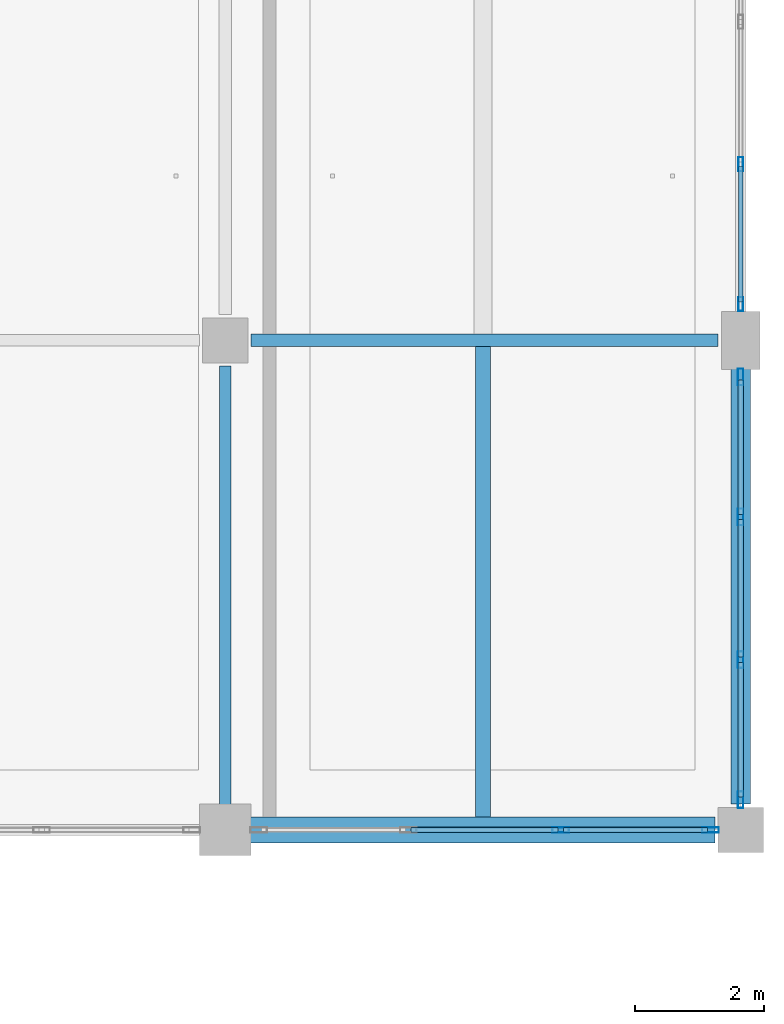
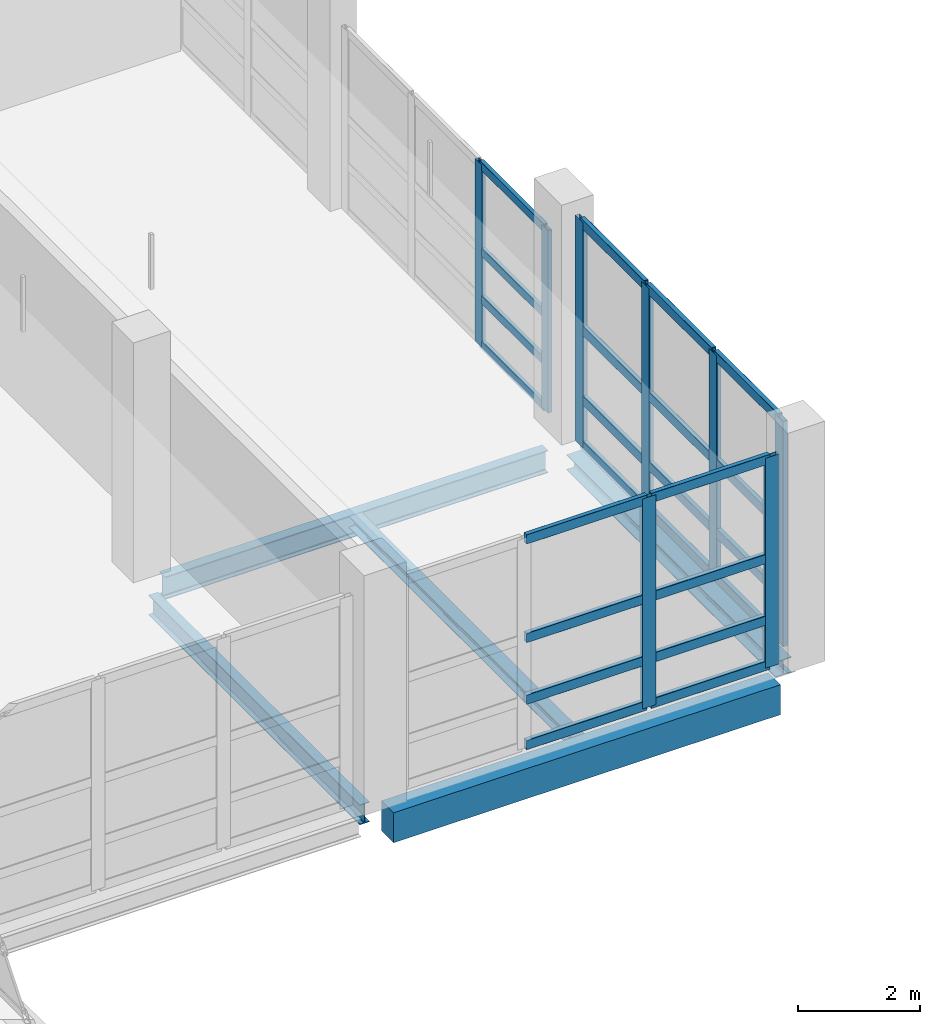
# One storey, part 61 of 147: 32 members, 5 beams, 3 elements without a shape of their own.
"""IFC4 building model written with IfcOpenShell, lengths in metres."""

from ifc_helpers import new_model, si_unit, direction, frame, origin, origin_2d, place, context, subcontext, project, spatial, rectangle, hollow_rectangle, i_section, extrude, material, material_profile, profile_set, type_object, element, aggregate, save


model = new_model("IFC4")

# Units and contexts
model_context = context("Model", 3, precision=1e-05, world=origin(), true_north=direction((0.0, 1.0)))
body_context = subcontext(model_context, "Body", "Model", "MODEL_VIEW")
ifc_project = project(units=[si_unit("LENGTHUNIT", "METRE"), si_unit("AREAUNIT", "SQUARE_METRE"), si_unit("VOLUMEUNIT", "CUBIC_METRE"), si_unit("PLANEANGLEUNIT", "RADIAN"), si_unit("MASSUNIT", "GRAM", prefix="KILO")], contexts=[model_context])

# Site, building, storey
site_placement = place(None, origin())
site = spatial("IfcSite", under=ifc_project, at=site_placement, CompositionType="ELEMENT")
building_placement = place(site_placement, origin())
building = spatial("IfcBuilding", under=site, at=building_placement, Name="Khelvaren Railside Concert Hall", CompositionType="ELEMENT")
storey_placement = place(building_placement, frame((0.0, 0.0, 5.39990234375)))
storey = spatial("IfcBuildingStorey", under=building, at=storey_placement, Name="L01", CompositionType="ELEMENT", Elevation=5.39990234375)

# Beams
ifc_material_1 = material(Name="Steel S355", Category="steel")
ifc_material_profile_1 = material_profile(ifc_material_1, i_section(OverallWidth=0.179931640625, OverallDepth=0.39990234375, WebThickness=0.008544921875, FlangeThickness=0.013427734375, FilletRadius=0.02099609375, at=origin_2d()), Name="IPE 400")
ifc_profile_set_1 = profile_set([ifc_material_profile_1], Name="Steel S355")
beam_type_1 = type_object("IfcBeamType", Name="BM29", PredefinedType="BEAM", material=ifc_profile_set_1)
beam_1_placement = place(storey_placement, frame((176.0, 83.873046875, -0.5), z_axis=(0.0, 1.0, 0.0), x_axis=(-1.0, 0.0, 0.0)))
element("IfcBeam", 1, at=beam_1_placement, inside=storey, type_object=beam_type_1, Name="V5 L01 Beam Y7.1", PredefinedType="BEAM", context=body_context, shape_type="SweptSolid", body=[
    extrude(i_section(OverallWidth=0.179931640625, OverallDepth=0.39990234375, WebThickness=0.008544921875, FlangeThickness=0.013427734375, FilletRadius=0.02099609375, at=origin_2d()), origin(), (0.0, 0.0, 1.0), 6.927001953125),
])
ifc_material_profile_2 = material_profile(ifc_material_1, i_section(OverallWidth=0.18994140625, OverallDepth=0.449951171875, WebThickness=0.009521484375, FlangeThickness=0.0146484375, FilletRadius=0.02099609375, at=origin_2d()), Name="IPE 450")
ifc_profile_set_2 = profile_set([ifc_material_profile_2], Name="Steel S355")
beam_type_2 = type_object("IfcBeamType", Name="BM95", PredefinedType="BEAM", material=ifc_profile_set_2)
beam_2_placement = place(storey_placement, frame((176.39990234375, 91.199951171875, -0.52490234375), z_axis=(1.0, 0.0, 0.0), x_axis=(0.0, 1.0, 0.0)))
element("IfcBeam", 2, at=beam_2_placement, inside=storey, type_object=beam_type_2, Name="V5 L01 Beam X2.7", PredefinedType="BEAM", context=body_context, shape_type="SweptSolid", body=[
    extrude(i_section(OverallWidth=0.18994140625, OverallDepth=0.449951171875, WebThickness=0.009521484375, FlangeThickness=0.0146484375, FilletRadius=0.02099609375, at=origin_2d()), origin(), (0.0, 0.0, 1.0), 7.25),
])

# Curtain wall, members
ifc_material_2 = material(Name="Triple-glazed solar-control glass", Category="glass")
curtain_wall_type_1 = type_object("IfcCurtainWallType", Name="CW88", PredefinedType="USERDEFINED", material=ifc_material_2)
curtain_wall_1_placement = place(storey_placement, origin())
curtain_wall_1 = element("IfcCurtainWall", 3, at=curtain_wall_1_placement, inside=storey, type_object=curtain_wall_type_1, Name="Unitised Curtain Wall CW-V5-L01-E-91", ObjectType="UNITISED CURTAIN WALL", PredefinedType="USERDEFINED")
ifc_material_3 = material(Name="Anodised architectural aluminium 6063-T6", Category="aluminium")
ifc_material_profile_3 = material_profile(ifc_material_3, hollow_rectangle(XDim=0.074951171875, YDim=0.219970703125, WallThickness=0.0048828125, InnerFilletRadius=0.0029296875, OuterFilletRadius=0.0048828125, at=origin_2d()), Name="CWM 75x220x5")
ifc_profile_set_3 = profile_set([ifc_material_profile_3], Name="Anodised architectural aluminium 6063-T6")
member_type_1 = type_object("IfcMemberType", Name="CWM13", PredefinedType="MULLION", material=ifc_profile_set_3)
member_1_placement = place(storey_placement, frame((184.0, 93.9326171875, 0.0), z_axis=(0.0, 0.0, 1.0), x_axis=(1.0, 0.0, 0.0)))
member_1 = element("IfcMember", 4, at=member_1_placement, type_object=member_type_1, Name="CW88 mullion 3", PredefinedType="MULLION", context=body_context, shape_type="SweptSolid", body=[
    extrude(hollow_rectangle(XDim=0.074951171875, YDim=0.219970703125, WallThickness=0.0048828125, InnerFilletRadius=0.0029296875, OuterFilletRadius=0.0048828125, at=origin_2d()), origin(), (0.0, 0.0, 1.0), 3.650146484375),
])
member_2_placement = place(storey_placement, frame((184.0, 91.760009765625, 0.0), z_axis=(0.0, 0.0, 1.0), x_axis=(1.0, 0.0, 0.0)))
member_2 = element("IfcMember", 5, at=member_2_placement, type_object=member_type_1, Name="CW88 mullion 4", PredefinedType="MULLION", context=body_context, shape_type="SweptSolid", body=[
    extrude(hollow_rectangle(XDim=0.074951171875, YDim=0.219970703125, WallThickness=0.0048828125, InnerFilletRadius=0.0029296875, OuterFilletRadius=0.0048828125, at=origin_2d()), origin(), (0.0, 0.0, 1.0), 3.650146484375),
])

ifc_material_4 = material(Name="Acoustic laminated crystal facade glass", Category="glass")
curtain_wall_type_2 = type_object("IfcCurtainWallType", Name="CW54", PredefinedType="USERDEFINED", material=ifc_material_4)
curtain_wall_2_placement = place(storey_placement, origin())
curtain_wall_2 = element("IfcCurtainWall", 6, at=curtain_wall_2_placement, inside=storey, type_object=curtain_wall_type_2, Name="Unitised Curtain Wall CW-V5-L01-S-176", ObjectType="UNITISED CURTAIN WALL", PredefinedType="USERDEFINED")
ifc_material_profile_4 = material_profile(ifc_material_3, hollow_rectangle(XDim=0.0849609375, YDim=0.260009765625, WallThickness=0.0048828125, InnerFilletRadius=0.0029296875, OuterFilletRadius=0.0048828125, at=origin_2d()), Name="CWM 85x260x5")
ifc_profile_set_4 = profile_set([ifc_material_profile_4], Name="Anodised architectural aluminium 6063-T6")
member_type_2 = type_object("IfcMemberType", Name="CWM40", PredefinedType="MULLION", material=ifc_profile_set_4)
member_3_placement = place(storey_placement, frame((183.530029296875, 83.60009765625, 0.0), z_axis=(0.0, 0.0, 1.0), x_axis=(0.0, -1.0, 0.0)))
member_3 = element("IfcMember", 7, at=member_3_placement, type_object=member_type_2, Name="CW54 mullion 1", PredefinedType="MULLION", context=body_context, shape_type="SweptSolid", body=[
    extrude(hollow_rectangle(XDim=0.0849609375, YDim=0.260009765625, WallThickness=0.0048828125, InnerFilletRadius=0.0029296875, OuterFilletRadius=0.0048828125, at=origin_2d()), origin(), (0.0, 0.0, 1.0), 4.2001953125),
])
member_4_placement = place(storey_placement, frame((181.20751953125, 83.60009765625, 0.0), z_axis=(0.0, 0.0, 1.0), x_axis=(0.0, -1.0, 0.0)))
member_4 = element("IfcMember", 8, at=member_4_placement, type_object=member_type_2, Name="CW54 mullion 2", PredefinedType="MULLION", context=body_context, shape_type="SweptSolid", body=[
    extrude(hollow_rectangle(XDim=0.0849609375, YDim=0.260009765625, WallThickness=0.0048828125, InnerFilletRadius=0.0029296875, OuterFilletRadius=0.0048828125, at=origin_2d()), origin(), (0.0, 0.0, 1.0), 4.2001953125),
])

curtain_wall_type_3 = type_object("IfcCurtainWallType", Name="CW66", PredefinedType="USERDEFINED", material=ifc_material_4)
curtain_wall_3_placement = place(storey_placement, origin())
curtain_wall_3 = element("IfcCurtainWall", 9, at=curtain_wall_3_placement, inside=storey, type_object=curtain_wall_type_3, Name="Unitised Curtain Wall CW-V5-L01-E-84", ObjectType="UNITISED CURTAIN WALL", PredefinedType="USERDEFINED")
member_5_placement = place(storey_placement, frame((184.0, 90.6298828125, 0.0), z_axis=(0.0, 0.0, 1.0), x_axis=(1.0, 0.0, 0.0)))
member_5 = element("IfcMember", 10, at=member_5_placement, type_object=member_type_2, Name="CW66 mullion 1", PredefinedType="MULLION", context=body_context, shape_type="SweptSolid", body=[
    extrude(hollow_rectangle(XDim=0.0849609375, YDim=0.260009765625, WallThickness=0.0048828125, InnerFilletRadius=0.0029296875, OuterFilletRadius=0.0048828125, at=origin_2d()), origin(), (0.0, 0.0, 1.0), 4.510009765625),
])
member_6_placement = place(storey_placement, frame((184.0, 88.45751953125, 0.0), z_axis=(0.0, 0.0, 1.0), x_axis=(1.0, 0.0, 0.0)))
member_6 = element("IfcMember", 11, at=member_6_placement, type_object=member_type_2, Name="CW66 mullion 2", PredefinedType="MULLION", context=body_context, shape_type="SweptSolid", body=[
    extrude(hollow_rectangle(XDim=0.0849609375, YDim=0.260009765625, WallThickness=0.0048828125, InnerFilletRadius=0.0029296875, OuterFilletRadius=0.0048828125, at=origin_2d()), origin(), (0.0, 0.0, 1.0), 4.510009765625),
])
member_7_placement = place(storey_placement, frame((184.0, 86.242431640625, 0.0), z_axis=(0.0, 0.0, 1.0), x_axis=(1.0, 0.0, 0.0)))
member_7 = element("IfcMember", 12, at=member_7_placement, type_object=member_type_2, Name="CW66 mullion 3", PredefinedType="MULLION", context=body_context, shape_type="SweptSolid", body=[
    extrude(hollow_rectangle(XDim=0.0849609375, YDim=0.260009765625, WallThickness=0.0048828125, InnerFilletRadius=0.0029296875, OuterFilletRadius=0.0048828125, at=origin_2d()), origin(), (0.0, 0.0, 1.0), 4.510009765625),
])
member_8_placement = place(storey_placement, frame((184.0, 84.070068359375, 0.0), z_axis=(0.0, 0.0, 1.0), x_axis=(1.0, 0.0, 0.0)))
member_8 = element("IfcMember", 13, at=member_8_placement, type_object=member_type_2, Name="CW66 mullion 4", PredefinedType="MULLION", context=body_context, shape_type="SweptSolid", body=[
    extrude(hollow_rectangle(XDim=0.0849609375, YDim=0.260009765625, WallThickness=0.0048828125, InnerFilletRadius=0.0029296875, OuterFilletRadius=0.0048828125, at=origin_2d()), origin(), (0.0, 0.0, 1.0), 4.510009765625),
])

# Member
ifc_material_profile_5 = material_profile(ifc_material_3, hollow_rectangle(XDim=0.0849609375, YDim=0.18994140625, WallThickness=0.0048828125, InnerFilletRadius=0.0029296875, OuterFilletRadius=0.0048828125, at=origin_2d()), Name="CWT 85x190x5")
ifc_profile_set_5 = profile_set([ifc_material_profile_5], Name="Anodised architectural aluminium 6063-T6")
member_type_3 = type_object("IfcMemberType", Name="CWT31", PredefinedType="USERDEFINED", material=ifc_profile_set_5)
member_9_placement = place(storey_placement, frame((183.487548828125, 83.60009765625, 0.04248046875), z_axis=(-1.0, 0.0, 0.0), x_axis=(0.0, -1.0, 0.0)))
member_9 = element("IfcMember", 14, at=member_9_placement, type_object=member_type_3, Name="CW54 transom 1.1", ObjectType="TRANSOM", PredefinedType="USERDEFINED", context=body_context, shape_type="SweptSolid", body=[
    extrude(hollow_rectangle(XDim=0.0849609375, YDim=0.18994140625, WallThickness=0.0048828125, InnerFilletRadius=0.0029296875, OuterFilletRadius=0.0048828125, at=origin_2d()), origin(), (0.0, 0.0, 1.0), 2.237548828125),
])

member_10_placement = place(storey_placement, frame((183.487548828125, 83.60009765625, 0.9501953125), z_axis=(-1.0, 0.0, 0.0), x_axis=(0.0, -1.0, 0.0)))
member_10 = element("IfcMember", 15, at=member_10_placement, type_object=member_type_3, Name="CW54 transom 1.2", ObjectType="TRANSOM", PredefinedType="USERDEFINED", context=body_context, shape_type="SweptSolid", body=[
    extrude(hollow_rectangle(XDim=0.0849609375, YDim=0.18994140625, WallThickness=0.0048828125, InnerFilletRadius=0.0029296875, OuterFilletRadius=0.0048828125, at=origin_2d()), origin(), (0.0, 0.0, 1.0), 2.237548828125),
])

member_11_placement = place(storey_placement, frame((183.487548828125, 83.60009765625, 2.18408203125), z_axis=(-1.0, 0.0, 0.0), x_axis=(0.0, -1.0, 0.0)))
member_11 = element("IfcMember", 16, at=member_11_placement, type_object=member_type_3, Name="CW54 transom 1.3", ObjectType="TRANSOM", PredefinedType="USERDEFINED", context=body_context, shape_type="SweptSolid", body=[
    extrude(hollow_rectangle(XDim=0.0849609375, YDim=0.18994140625, WallThickness=0.0048828125, InnerFilletRadius=0.0029296875, OuterFilletRadius=0.0048828125, at=origin_2d()), origin(), (0.0, 0.0, 1.0), 2.237548828125),
])

member_12_placement = place(storey_placement, frame((183.487548828125, 83.60009765625, 4.15771484375), z_axis=(-1.0, 0.0, 0.0), x_axis=(0.0, -1.0, 0.0)))
member_12 = element("IfcMember", 17, at=member_12_placement, type_object=member_type_3, Name="CW54 transom 1.4", ObjectType="TRANSOM", PredefinedType="USERDEFINED", context=body_context, shape_type="SweptSolid", body=[
    extrude(hollow_rectangle(XDim=0.0849609375, YDim=0.18994140625, WallThickness=0.0048828125, InnerFilletRadius=0.0029296875, OuterFilletRadius=0.0048828125, at=origin_2d()), origin(), (0.0, 0.0, 1.0), 2.237548828125),
])

member_13_placement = place(storey_placement, frame((181.1650390625, 83.60009765625, 0.04248046875), z_axis=(-1.0, 0.0, 0.0), x_axis=(0.0, -1.0, 0.0)))
member_13 = element("IfcMember", 18, at=member_13_placement, type_object=member_type_3, Name="CW54 transom 2.1", ObjectType="TRANSOM", PredefinedType="USERDEFINED", context=body_context, shape_type="SweptSolid", body=[
    extrude(hollow_rectangle(XDim=0.0849609375, YDim=0.18994140625, WallThickness=0.0048828125, InnerFilletRadius=0.0029296875, OuterFilletRadius=0.0048828125, at=origin_2d()), origin(), (0.0, 0.0, 1.0), 2.280029296875),
])

member_14_placement = place(storey_placement, frame((181.1650390625, 83.60009765625, 0.9501953125), z_axis=(-1.0, 0.0, 0.0), x_axis=(0.0, -1.0, 0.0)))
member_14 = element("IfcMember", 19, at=member_14_placement, type_object=member_type_3, Name="CW54 transom 2.2", ObjectType="TRANSOM", PredefinedType="USERDEFINED", context=body_context, shape_type="SweptSolid", body=[
    extrude(hollow_rectangle(XDim=0.0849609375, YDim=0.18994140625, WallThickness=0.0048828125, InnerFilletRadius=0.0029296875, OuterFilletRadius=0.0048828125, at=origin_2d()), origin(), (0.0, 0.0, 1.0), 2.280029296875),
])

member_15_placement = place(storey_placement, frame((181.1650390625, 83.60009765625, 2.18408203125), z_axis=(-1.0, 0.0, 0.0), x_axis=(0.0, -1.0, 0.0)))
member_15 = element("IfcMember", 20, at=member_15_placement, type_object=member_type_3, Name="CW54 transom 2.3", ObjectType="TRANSOM", PredefinedType="USERDEFINED", context=body_context, shape_type="SweptSolid", body=[
    extrude(hollow_rectangle(XDim=0.0849609375, YDim=0.18994140625, WallThickness=0.0048828125, InnerFilletRadius=0.0029296875, OuterFilletRadius=0.0048828125, at=origin_2d()), origin(), (0.0, 0.0, 1.0), 2.280029296875),
])

member_16_placement = place(storey_placement, frame((181.1650390625, 83.60009765625, 4.15771484375), z_axis=(-1.0, 0.0, 0.0), x_axis=(0.0, -1.0, 0.0)))
member_16 = element("IfcMember", 21, at=member_16_placement, type_object=member_type_3, Name="CW54 transom 2.4", ObjectType="TRANSOM", PredefinedType="USERDEFINED", context=body_context, shape_type="SweptSolid", body=[
    extrude(hollow_rectangle(XDim=0.0849609375, YDim=0.18994140625, WallThickness=0.0048828125, InnerFilletRadius=0.0029296875, OuterFilletRadius=0.0048828125, at=origin_2d()), origin(), (0.0, 0.0, 1.0), 2.280029296875),
])

aggregate(curtain_wall_2, [member_3, member_4, member_9, member_10, member_11, member_12, member_13, member_14, member_15, member_16])

member_17_placement = place(storey_placement, frame((184.0, 90.58740234375, 0.04248046875), z_axis=(0.0, -1.0, 0.0), x_axis=(1.0, 0.0, 0.0)))
member_17 = element("IfcMember", 22, at=member_17_placement, type_object=member_type_3, Name="CW66 transom 1.1", ObjectType="TRANSOM", PredefinedType="USERDEFINED", context=body_context, shape_type="SweptSolid", body=[
    extrude(hollow_rectangle(XDim=0.0849609375, YDim=0.18994140625, WallThickness=0.0048828125, InnerFilletRadius=0.0029296875, OuterFilletRadius=0.0048828125, at=origin_2d()), origin(), (0.0, 0.0, 1.0), 2.08740234375),
])

member_18_placement = place(storey_placement, frame((184.0, 90.58740234375, 0.9501953125), z_axis=(0.0, -1.0, 0.0), x_axis=(1.0, 0.0, 0.0)))
member_18 = element("IfcMember", 23, at=member_18_placement, type_object=member_type_3, Name="CW66 transom 1.2", ObjectType="TRANSOM", PredefinedType="USERDEFINED", context=body_context, shape_type="SweptSolid", body=[
    extrude(hollow_rectangle(XDim=0.0849609375, YDim=0.18994140625, WallThickness=0.0048828125, InnerFilletRadius=0.0029296875, OuterFilletRadius=0.0048828125, at=origin_2d()), origin(), (0.0, 0.0, 1.0), 2.08740234375),
])

member_19_placement = place(storey_placement, frame((184.0, 90.58740234375, 2.34521484375), z_axis=(0.0, -1.0, 0.0), x_axis=(1.0, 0.0, 0.0)))
member_19 = element("IfcMember", 24, at=member_19_placement, type_object=member_type_3, Name="CW66 transom 1.3", ObjectType="TRANSOM", PredefinedType="USERDEFINED", context=body_context, shape_type="SweptSolid", body=[
    extrude(hollow_rectangle(XDim=0.0849609375, YDim=0.18994140625, WallThickness=0.0048828125, InnerFilletRadius=0.0029296875, OuterFilletRadius=0.0048828125, at=origin_2d()), origin(), (0.0, 0.0, 1.0), 2.08740234375),
])

member_20_placement = place(storey_placement, frame((184.0, 90.58740234375, 4.467529296875), z_axis=(0.0, -1.0, 0.0), x_axis=(1.0, 0.0, 0.0)))
member_20 = element("IfcMember", 25, at=member_20_placement, type_object=member_type_3, Name="CW66 transom 1.4", ObjectType="TRANSOM", PredefinedType="USERDEFINED", context=body_context, shape_type="SweptSolid", body=[
    extrude(hollow_rectangle(XDim=0.0849609375, YDim=0.18994140625, WallThickness=0.0048828125, InnerFilletRadius=0.0029296875, OuterFilletRadius=0.0048828125, at=origin_2d()), origin(), (0.0, 0.0, 1.0), 2.08740234375),
])

member_21_placement = place(storey_placement, frame((184.0, 88.4150390625, 0.04248046875), z_axis=(0.0, -1.0, 0.0), x_axis=(1.0, 0.0, 0.0)))
member_21 = element("IfcMember", 26, at=member_21_placement, type_object=member_type_3, Name="CW66 transom 2.1", ObjectType="TRANSOM", PredefinedType="USERDEFINED", context=body_context, shape_type="SweptSolid", body=[
    extrude(hollow_rectangle(XDim=0.0849609375, YDim=0.18994140625, WallThickness=0.0048828125, InnerFilletRadius=0.0029296875, OuterFilletRadius=0.0048828125, at=origin_2d()), origin(), (0.0, 0.0, 1.0), 2.130126953125),
])

member_22_placement = place(storey_placement, frame((184.0, 88.4150390625, 0.9501953125), z_axis=(0.0, -1.0, 0.0), x_axis=(1.0, 0.0, 0.0)))
member_22 = element("IfcMember", 27, at=member_22_placement, type_object=member_type_3, Name="CW66 transom 2.2", ObjectType="TRANSOM", PredefinedType="USERDEFINED", context=body_context, shape_type="SweptSolid", body=[
    extrude(hollow_rectangle(XDim=0.0849609375, YDim=0.18994140625, WallThickness=0.0048828125, InnerFilletRadius=0.0029296875, OuterFilletRadius=0.0048828125, at=origin_2d()), origin(), (0.0, 0.0, 1.0), 2.130126953125),
])

member_23_placement = place(storey_placement, frame((184.0, 88.4150390625, 2.34521484375), z_axis=(0.0, -1.0, 0.0), x_axis=(1.0, 0.0, 0.0)))
member_23 = element("IfcMember", 28, at=member_23_placement, type_object=member_type_3, Name="CW66 transom 2.3", ObjectType="TRANSOM", PredefinedType="USERDEFINED", context=body_context, shape_type="SweptSolid", body=[
    extrude(hollow_rectangle(XDim=0.0849609375, YDim=0.18994140625, WallThickness=0.0048828125, InnerFilletRadius=0.0029296875, OuterFilletRadius=0.0048828125, at=origin_2d()), origin(), (0.0, 0.0, 1.0), 2.130126953125),
])

member_24_placement = place(storey_placement, frame((184.0, 88.4150390625, 4.467529296875), z_axis=(0.0, -1.0, 0.0), x_axis=(1.0, 0.0, 0.0)))
member_24 = element("IfcMember", 29, at=member_24_placement, type_object=member_type_3, Name="CW66 transom 2.4", ObjectType="TRANSOM", PredefinedType="USERDEFINED", context=body_context, shape_type="SweptSolid", body=[
    extrude(hollow_rectangle(XDim=0.0849609375, YDim=0.18994140625, WallThickness=0.0048828125, InnerFilletRadius=0.0029296875, OuterFilletRadius=0.0048828125, at=origin_2d()), origin(), (0.0, 0.0, 1.0), 2.130126953125),
])

member_25_placement = place(storey_placement, frame((184.0, 86.199951171875, 0.04248046875), z_axis=(0.0, -1.0, 0.0), x_axis=(1.0, 0.0, 0.0)))
member_25 = element("IfcMember", 30, at=member_25_placement, type_object=member_type_3, Name="CW66 transom 3.1", ObjectType="TRANSOM", PredefinedType="USERDEFINED", context=body_context, shape_type="SweptSolid", body=[
    extrude(hollow_rectangle(XDim=0.0849609375, YDim=0.18994140625, WallThickness=0.0048828125, InnerFilletRadius=0.0029296875, OuterFilletRadius=0.0048828125, at=origin_2d()), origin(), (0.0, 0.0, 1.0), 2.08740234375),
])

member_26_placement = place(storey_placement, frame((184.0, 86.199951171875, 0.9501953125), z_axis=(0.0, -1.0, 0.0), x_axis=(1.0, 0.0, 0.0)))
member_26 = element("IfcMember", 31, at=member_26_placement, type_object=member_type_3, Name="CW66 transom 3.2", ObjectType="TRANSOM", PredefinedType="USERDEFINED", context=body_context, shape_type="SweptSolid", body=[
    extrude(hollow_rectangle(XDim=0.0849609375, YDim=0.18994140625, WallThickness=0.0048828125, InnerFilletRadius=0.0029296875, OuterFilletRadius=0.0048828125, at=origin_2d()), origin(), (0.0, 0.0, 1.0), 2.08740234375),
])

member_27_placement = place(storey_placement, frame((184.0, 86.199951171875, 2.34521484375), z_axis=(0.0, -1.0, 0.0), x_axis=(1.0, 0.0, 0.0)))
member_27 = element("IfcMember", 32, at=member_27_placement, type_object=member_type_3, Name="CW66 transom 3.3", ObjectType="TRANSOM", PredefinedType="USERDEFINED", context=body_context, shape_type="SweptSolid", body=[
    extrude(hollow_rectangle(XDim=0.0849609375, YDim=0.18994140625, WallThickness=0.0048828125, InnerFilletRadius=0.0029296875, OuterFilletRadius=0.0048828125, at=origin_2d()), origin(), (0.0, 0.0, 1.0), 2.08740234375),
])

member_28_placement = place(storey_placement, frame((184.0, 86.199951171875, 4.467529296875), z_axis=(0.0, -1.0, 0.0), x_axis=(1.0, 0.0, 0.0)))
member_28 = element("IfcMember", 33, at=member_28_placement, type_object=member_type_3, Name="CW66 transom 3.4", ObjectType="TRANSOM", PredefinedType="USERDEFINED", context=body_context, shape_type="SweptSolid", body=[
    extrude(hollow_rectangle(XDim=0.0849609375, YDim=0.18994140625, WallThickness=0.0048828125, InnerFilletRadius=0.0029296875, OuterFilletRadius=0.0048828125, at=origin_2d()), origin(), (0.0, 0.0, 1.0), 2.08740234375),
])

aggregate(curtain_wall_3, [member_5, member_6, member_7, member_8, member_17, member_18, member_19, member_20, member_21, member_22, member_23, member_24, member_25, member_26, member_27, member_28])

ifc_material_profile_6 = material_profile(ifc_material_3, hollow_rectangle(XDim=0.074951171875, YDim=0.1650390625, WallThickness=0.00390625, InnerFilletRadius=0.001953125, OuterFilletRadius=0.00390625, at=origin_2d()), Name="CWT 75x165x4")
ifc_profile_set_6 = profile_set([ifc_material_profile_6], Name="Anodised architectural aluminium 6063-T6")
member_type_4 = type_object("IfcMemberType", Name="CWT46", PredefinedType="USERDEFINED", material=ifc_profile_set_6)
member_29_placement = place(storey_placement, frame((184.0, 93.89501953125, 0.03759765625), z_axis=(0.0, -1.0, 0.0), x_axis=(1.0, 0.0, 0.0)))
member_29 = element("IfcMember", 34, at=member_29_placement, type_object=member_type_4, Name="CW88 transom 3.1", ObjectType="TRANSOM", PredefinedType="USERDEFINED", context=body_context, shape_type="SweptSolid", body=[
    extrude(hollow_rectangle(XDim=0.074951171875, YDim=0.1650390625, WallThickness=0.00390625, InnerFilletRadius=0.001953125, OuterFilletRadius=0.00390625, at=origin_2d()), origin(), (0.0, 0.0, 1.0), 2.097412109375),
])

member_30_placement = place(storey_placement, frame((184.0, 93.89501953125, 0.9501953125), z_axis=(0.0, -1.0, 0.0), x_axis=(1.0, 0.0, 0.0)))
member_30 = element("IfcMember", 35, at=member_30_placement, type_object=member_type_4, Name="CW88 transom 3.2", ObjectType="TRANSOM", PredefinedType="USERDEFINED", context=body_context, shape_type="SweptSolid", body=[
    extrude(hollow_rectangle(XDim=0.074951171875, YDim=0.1650390625, WallThickness=0.00390625, InnerFilletRadius=0.001953125, OuterFilletRadius=0.00390625, at=origin_2d()), origin(), (0.0, 0.0, 1.0), 2.097412109375),
])

member_31_placement = place(storey_placement, frame((184.0, 93.89501953125, 1.898193359375), z_axis=(0.0, -1.0, 0.0), x_axis=(1.0, 0.0, 0.0)))
member_31 = element("IfcMember", 36, at=member_31_placement, type_object=member_type_4, Name="CW88 transom 3.3", ObjectType="TRANSOM", PredefinedType="USERDEFINED", context=body_context, shape_type="SweptSolid", body=[
    extrude(hollow_rectangle(XDim=0.074951171875, YDim=0.1650390625, WallThickness=0.00390625, InnerFilletRadius=0.001953125, OuterFilletRadius=0.00390625, at=origin_2d()), origin(), (0.0, 0.0, 1.0), 2.097412109375),
])

member_32_placement = place(storey_placement, frame((184.0, 93.89501953125, 3.612548828125), z_axis=(0.0, -1.0, 0.0), x_axis=(1.0, 0.0, 0.0)))
member_32 = element("IfcMember", 37, at=member_32_placement, type_object=member_type_4, Name="CW88 transom 3.4", ObjectType="TRANSOM", PredefinedType="USERDEFINED", context=body_context, shape_type="SweptSolid", body=[
    extrude(hollow_rectangle(XDim=0.074951171875, YDim=0.1650390625, WallThickness=0.00390625, InnerFilletRadius=0.001953125, OuterFilletRadius=0.00390625, at=origin_2d()), origin(), (0.0, 0.0, 1.0), 2.097412109375),
])

aggregate(curtain_wall_1, [member_1, member_2, member_29, member_30, member_31, member_32])

# Beams
ifc_material_profile_7 = material_profile(ifc_material_1, i_section(OverallWidth=0.239990234375, OverallDepth=0.22998046875, WebThickness=0.007568359375, FlangeThickness=0.011962890625, FilletRadius=0.02099609375, at=origin_2d()), Name="HEA 240")
ifc_profile_set_7 = profile_set([ifc_material_profile_7], Name="Steel S355")
beam_type_3 = type_object("IfcBeamType", Name="JS76", PredefinedType="JOIST", material=ifc_profile_set_7)
beam_3_placement = place(storey_placement, frame((180.0, 83.800048828125, -0.414794921875), z_axis=(0.0, 1.0, 0.0), x_axis=(-1.0, 0.0, 0.0)))
element("IfcBeam", 38, at=beam_3_placement, inside=storey, type_object=beam_type_3, Name="V5 L01 Secondary Joist 7.1", PredefinedType="JOIST", context=body_context, shape_type="SweptSolid", body=[
    extrude(i_section(OverallWidth=0.239990234375, OverallDepth=0.22998046875, WebThickness=0.007568359375, FlangeThickness=0.011962890625, FilletRadius=0.02099609375, at=origin_2d()), origin(), (0.0, 0.0, 1.0), 7.304931640625),
])
ifc_material_profile_8 = material_profile(ifc_material_1, i_section(OverallWidth=0.300048828125, OverallDepth=0.31005859375, WebThickness=0.009033203125, FlangeThickness=0.015380859375, FilletRadius=0.027099609375, at=origin_2d()), Name="HEA 320")
ifc_profile_set_8 = profile_set([ifc_material_profile_8], Name="Steel S355")
beam_type_4 = type_object("IfcBeamType", Name="SP66", PredefinedType="SPANDREL", material=ifc_profile_set_8)
beam_4_placement = place(storey_placement, frame((184.0, 84.0, -0.454833984375), z_axis=(0.0, 1.0, 0.0), x_axis=(-1.0, 0.0, 0.0)))
element("IfcBeam", 39, at=beam_4_placement, inside=storey, type_object=beam_type_4, Name="V5 L01 Spandrel Y8.1", PredefinedType="SPANDREL", context=body_context, shape_type="SweptSolid", body=[
    extrude(i_section(OverallWidth=0.300048828125, OverallDepth=0.31005859375, WebThickness=0.009033203125, FlangeThickness=0.015380859375, FilletRadius=0.027099609375, at=origin_2d()), origin(), (0.0, 0.0, 1.0), 6.85009765625),
])
ifc_material_5 = material(Name="Concrete C40/50", Category="concrete")
ifc_material_profile_9 = material_profile(ifc_material_5, rectangle(XDim=0.39990234375, YDim=0.60009765625, at=origin_2d()), Name="RCB 400x600")
ifc_profile_set_9 = profile_set([ifc_material_profile_9], Name="Concrete C40/50")
beam_type_5 = type_object("IfcBeamType", Name="SP75", PredefinedType="SPANDREL", material=ifc_profile_set_9)
beam_5_placement = place(storey_placement, frame((176.27294921875, 83.60009765625, -0.599853515625), z_axis=(1.0, 0.0, 0.0), x_axis=(0.0, 1.0, 0.0)))
element("IfcBeam", 40, at=beam_5_placement, inside=storey, type_object=beam_type_5, Name="V5 L01 Spandrel X1.7", PredefinedType="SPANDREL", context=body_context, shape_type="SweptSolid", body=[
    extrude(rectangle(XDim=0.39990234375, YDim=0.60009765625, at=origin_2d()), origin(), (0.0, 0.0, 1.0), 7.3271484375),
])

save(model, "model.ifc")
